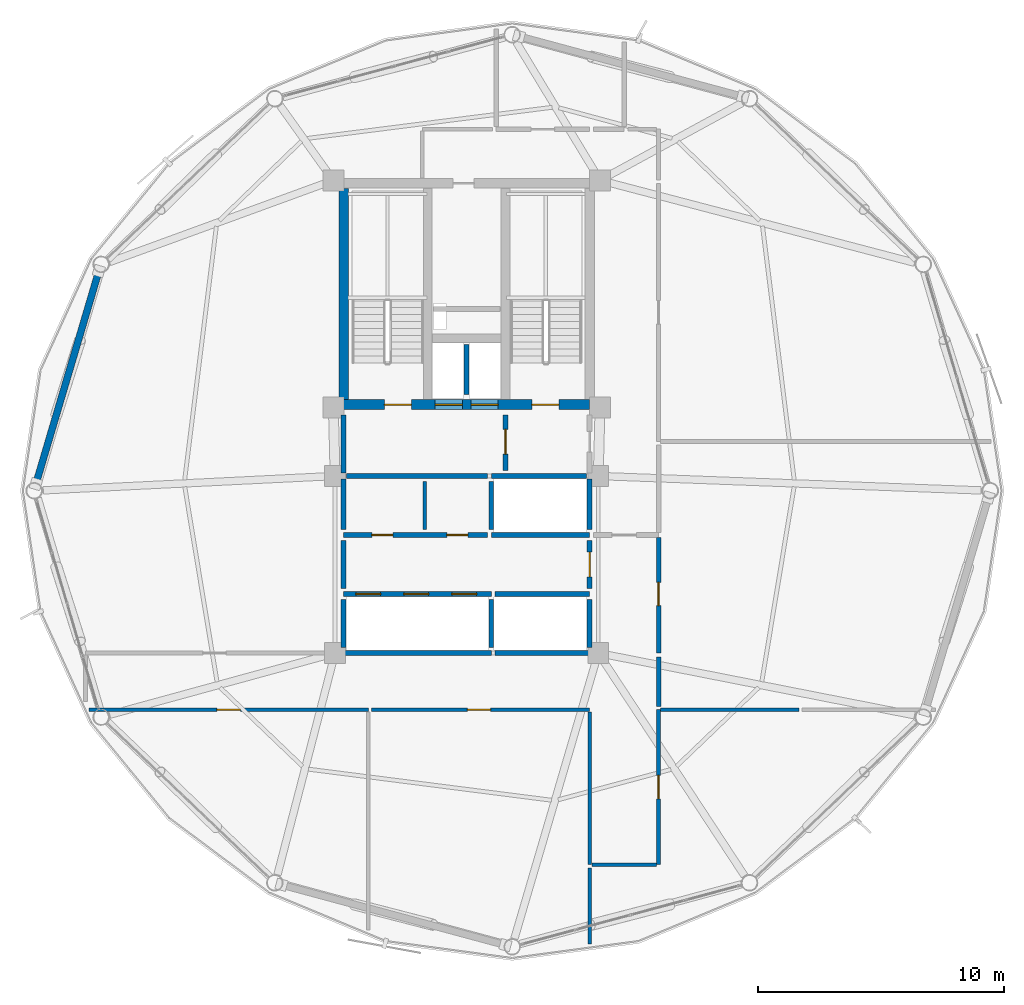
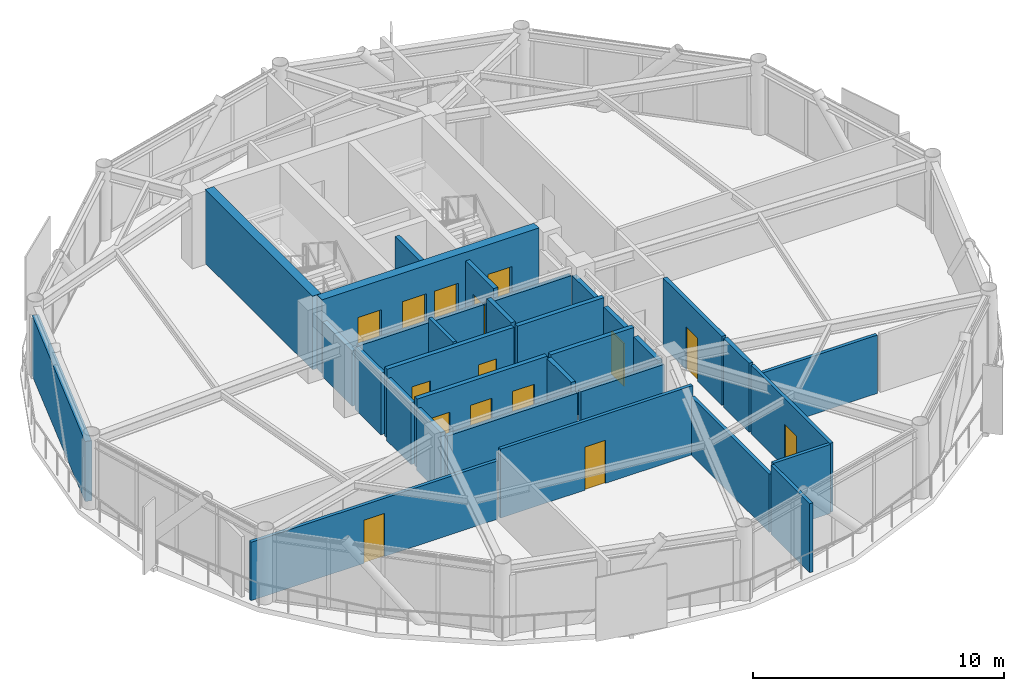
# One storey, part 24 of 28: 32 walls, 15 doors, 15 openings.
"""IFC4 building model written with IfcOpenShell, lengths in metres."""

from ifc_helpers import new_model, si_unit, direction, frame, frame_2d, origin, place, context, subcontext, project, spatial, rectangle, extrude, material, layer, layer_set, type_object, element, fill, save


model = new_model("IFC4")

# Units and contexts
model_context = context("Model", 3, precision=1e-05, world=origin(), true_north=direction((0.0, 1.0)))
body_context = subcontext(model_context, "Body", "Model", "MODEL_VIEW")
ifc_project = project(units=[si_unit("LENGTHUNIT", "METRE"), si_unit("AREAUNIT", "SQUARE_METRE"), si_unit("VOLUMEUNIT", "CUBIC_METRE"), si_unit("PLANEANGLEUNIT", "RADIAN"), si_unit("MASSUNIT", "GRAM", prefix="KILO")], contexts=[model_context])

# Site, building, storey
site_placement = place(None, origin())
site = spatial("IfcSite", under=ifc_project, at=site_placement, CompositionType="ELEMENT")
building_placement = place(site_placement, origin())
building = spatial("IfcBuilding", under=site, at=building_placement, Name="Varnakorn Sky Granary", CompositionType="ELEMENT")
storey_placement = place(building_placement, frame((0.0, 0.0, 196.800048828125)))
storey = spatial("IfcBuildingStorey", under=building, at=storey_placement, Name="L49", CompositionType="ELEMENT", Elevation=196.800048828125)

# Wall, openings, doors
ifc_material_1 = material(Name="Concrete C50/60", Category="concrete")
ifc_layer_1 = layer(ifc_material_1, 0.39990234375, Name="Concrete C50/60")
ifc_layer_set_1 = layer_set([ifc_layer_1], Name="Concrete C50/60")
wall_type_1 = type_object("IfcWallType", Name="WT-CW-SHEAR-400", PredefinedType="SHEAR", material=ifc_layer_set_1)
wall_1_placement = place(storey_placement, frame((-2.0, 3.5, 0.0), z_axis=(0.0, 0.0, 1.0), x_axis=(1.0, 0.0, 0.0)))
wall_1 = element("IfcWall", 1, at=wall_1_placement, inside=storey, type_object=wall_type_1, Name="Core South Shear Wall L49", PredefinedType="SHEAR", context=body_context, shape_type="SweptSolid", body=[
    extrude(rectangle(XDim=10.0, YDim=0.39990234375, at=frame_2d((5.0, 0.0))), origin(), (0.0, 0.0, 1.0), 3.592041015625),
])
opening_1_placement = place(wall_1_placement, frame((1.64990234375, 0.0, 0.0)))
opening_1 = element("IfcOpeningElement", 2, at=opening_1_placement, cuts=wall_1, Name="Opening FD-90", PredefinedType="OPENING", context=body_context, shape_type="SweptSolid", body=[
    extrude(rectangle(XDim=1.10009765625, YDim=2.14990234375, at=frame_2d((0.550048828125, 1.074951171875))), frame((0.0, 0.2099609375, 0.0), z_axis=(0.0, -1.0, 0.0), x_axis=(1.0, 0.0, 0.0)), (0.0, 0.0, 1.0), 0.419921875),
])
opening_2_placement = place(wall_1_placement, frame((7.64990234375, 0.0, 0.0)))
opening_2 = element("IfcOpeningElement", 3, at=opening_2_placement, cuts=wall_1, Name="Opening FD-90", PredefinedType="OPENING", context=body_context, shape_type="SweptSolid", body=[
    extrude(rectangle(XDim=1.10009765625, YDim=2.14990234375, at=frame_2d((0.550048828125, 1.074951171875))), frame((0.0, 0.2099609375, 0.0), z_axis=(0.0, -1.0, 0.0), x_axis=(1.0, 0.0, 0.0)), (0.0, 0.0, 1.0), 0.419921875),
])
opening_3_placement = place(wall_1_placement, frame((3.719970703125, 0.0, 0.0)))
opening_3 = element("IfcOpeningElement", 4, at=opening_3_placement, cuts=wall_1, Name="Opening LD-01", PredefinedType="OPENING", context=body_context, shape_type="SweptSolid", body=[
    extrude(rectangle(XDim=1.10009765625, YDim=2.199951171875, at=frame_2d((0.550048828125, 1.10009765625))), frame((0.0, 0.2099609375, 0.0), z_axis=(0.0, -1.0, 0.0), x_axis=(1.0, 0.0, 0.0)), (0.0, 0.0, 1.0), 0.419921875),
])
opening_4_placement = place(wall_1_placement, frame((5.179931640625, 0.0, 0.0)))
opening_4 = element("IfcOpeningElement", 5, at=opening_4_placement, cuts=wall_1, Name="Opening LD-01", PredefinedType="OPENING", context=body_context, shape_type="SweptSolid", body=[
    extrude(rectangle(XDim=1.10009765625, YDim=2.199951171875, at=frame_2d((0.550048828125, 1.10009765625))), frame((0.0, 0.2099609375, 0.0), z_axis=(0.0, -1.0, 0.0), x_axis=(1.0, 0.0, 0.0)), (0.0, 0.0, 1.0), 0.419921875),
])
ifc_material_2 = material(Name="Brushed Bronze Stainless Steel", Category="steel")
door_type_1 = type_object("IfcDoorType", Name="DR-LD-1100", OperationType="DOUBLE_DOOR_SLIDING", PredefinedType="DOOR", material=ifc_material_2)
door_1_placement = place(opening_3_placement, origin())
door_1 = element("IfcDoor", 6, at=door_1_placement, inside=storey, type_object=door_type_1, Name="Firefighting Lift FFL-1 Landing Door L49", OperationType="DOUBLE_DOOR_SLIDING", OverallHeight=2.199951171875, OverallWidth=1.10009765625, PredefinedType="DOOR", context=body_context, shape_type="SweptSolid", body=[
    extrude(rectangle(XDim=1.10009765625, YDim=2.199951171875, at=frame_2d((0.550048828125, 1.10009765625))), frame((0.0, 0.02490234375, 0.0), z_axis=(0.0, -1.0, 0.0), x_axis=(1.0, 0.0, 0.0)), (0.0, 0.0, 1.0), 0.050048828125),
])
fill(opening_3, door_1)
door_2_placement = place(opening_4_placement, origin())
door_2 = element("IfcDoor", 7, at=door_2_placement, inside=storey, type_object=door_type_1, Name="Firefighting Lift FFL-2 Landing Door L49", OperationType="DOUBLE_DOOR_SLIDING", OverallHeight=2.199951171875, OverallWidth=1.10009765625, PredefinedType="DOOR", context=body_context, shape_type="SweptSolid", body=[
    extrude(rectangle(XDim=1.10009765625, YDim=2.199951171875, at=frame_2d((0.550048828125, 1.10009765625))), frame((0.0, 0.02490234375, 0.0), z_axis=(0.0, -1.0, 0.0), x_axis=(1.0, 0.0, 0.0)), (0.0, 0.0, 1.0), 0.050048828125),
])
fill(opening_4, door_2)
ifc_material_3 = material(Name="Galvanised Painted Steel Leaf", Category="steel")
door_type_2 = type_object("IfcDoorType", Name="DR-STAIR-1100", OperationType="NOTDEFINED", PredefinedType="DOOR", material=ifc_material_3)
door_3_placement = place(opening_1_placement, origin())
door_3 = element("IfcDoor", 8, at=door_3_placement, inside=storey, type_object=door_type_2, Name="Stair ST-1 Protected Fire Door L49", OperationType="SINGLE_SWING_LEFT", OverallHeight=2.14990234375, OverallWidth=1.10009765625, PredefinedType="DOOR", context=body_context, shape_type="SweptSolid", body=[
    extrude(rectangle(XDim=1.10009765625, YDim=2.14990234375, at=frame_2d((0.550048828125, 1.074951171875))), frame((0.0, 0.02490234375, 0.0), z_axis=(0.0, -1.0, 0.0), x_axis=(1.0, 0.0, 0.0)), (0.0, 0.0, 1.0), 0.050048828125),
])
fill(opening_1, door_3)
door_4_placement = place(opening_2_placement, origin())
door_4 = element("IfcDoor", 9, at=door_4_placement, inside=storey, type_object=door_type_2, Name="Stair ST-2 Protected Fire Door L49", OperationType="SINGLE_SWING_RIGHT", OverallHeight=2.14990234375, OverallWidth=1.10009765625, PredefinedType="DOOR", context=body_context, shape_type="SweptSolid", body=[
    extrude(rectangle(XDim=1.10009765625, YDim=2.14990234375, at=frame_2d((0.550048828125, 1.074951171875))), frame((0.0, 0.02490234375, 0.0), z_axis=(0.0, -1.0, 0.0), x_axis=(1.0, 0.0, 0.0)), (0.0, 0.0, 1.0), 0.050048828125),
])
fill(opening_2, door_4)

# Walls
wall_2_placement = place(storey_placement, frame((-2.0, 3.7099609375, 0.0), z_axis=(0.0, 0.0, 1.0), x_axis=(0.0, 1.0, 0.0)))
element("IfcWall", 10, at=wall_2_placement, inside=storey, type_object=wall_type_1, Name="Core West Shear Wall L49", PredefinedType="SHEAR", context=body_context, shape_type="SweptSolid", body=[
    extrude(rectangle(XDim=8.580078125, YDim=0.39990234375, at=frame_2d((4.2900390625, 0.0))), origin(), (0.0, 0.0, 1.0), 3.592041015625),
])
ifc_material_4 = material(Name="Precast concrete C40/50", Category="concrete")
ifc_layer_2 = layer(ifc_material_4, 0.280029296875, Name="Precast concrete C40/50")
ifc_layer_set_2 = layer_set([ifc_layer_2], Name="Precast concrete C40/50")
wall_type_2 = type_object("IfcWallType", Name="WT-EW-CRN-280", PredefinedType="SOLIDWALL", material=ifc_layer_set_2)
wall_3_placement = place(storey_placement, frame((-14.51318359375, 0.273193359375, 0.0), z_axis=(0.0, 0.0, 1.0), x_axis=(0.28353319575, 0.958962422052, 0.0)))
element("IfcWall", 11, at=wall_3_placement, inside=storey, type_object=wall_type_2, Name="Agritech Insulated Precast Facade Wall L49-P06", PredefinedType="SOLIDWALL", context=body_context, shape_type="SweptSolid", body=[
    extrude(rectangle(XDim=9.030029296875, YDim=0.280029296875, at=frame_2d((4.51513671875, 0.0))), origin(), (0.0, 0.0, 1.0), 2.929931640625),
])

# Wall, opening, door
ifc_material_5 = material(Name="Autoclaved Aerated Concrete Blockwork", Category="masonry")
ifc_layer_3 = layer(ifc_material_5, 0.199951171875, Name="Autoclaved Aerated Concrete Blockwork")
ifc_layer_set_3 = layer_set([ifc_layer_3], Name="Autoclaved Aerated Concrete Blockwork")
wall_type_3 = type_object("IfcWallType", Name="WT-FIRE-200", PredefinedType="MOVABLE", material=ifc_layer_set_3)
wall_4_placement = place(storey_placement, frame((4.580078125, 0.830078125, 0.0), z_axis=(0.0, 0.0, 1.0), x_axis=(0.0, 1.0, 0.0)))
wall_4 = element("IfcWall", 12, at=wall_4_placement, inside=storey, type_object=wall_type_3, Name="Interior Partition Wall L49-014", PredefinedType="MOVABLE", context=body_context, shape_type="SweptSolid", body=[
    extrude(rectangle(XDim=2.239990234375, YDim=0.199951171875, at=frame_2d((1.1201171875, 0.0))), origin(), (0.0, 0.0, 1.0), 3.35986328125),
])
opening_5_placement = place(wall_4_placement, frame((0.659912109375, 0.0, 0.0)))
opening_5 = element("IfcOpeningElement", 13, at=opening_5_placement, cuts=wall_4, Name="Opening FD-60", PredefinedType="OPENING", context=body_context, shape_type="SweptSolid", body=[
    extrude(rectangle(XDim=1.0, YDim=2.10009765625, at=frame_2d((0.5, 1.050048828125))), frame((0.0, 0.10986328125, 0.0), z_axis=(0.0, -1.0, 0.0), x_axis=(1.0, 0.0, 0.0)), (0.0, 0.0, 1.0), 0.219970703125),
])
ifc_material_6 = material(Name="Acoustic Timber Fire Leaf", Category="wood")
door_type_3 = type_object("IfcDoorType", Name="DR-FD60-1000", OperationType="NOTDEFINED", PredefinedType="DOOR", material=ifc_material_6)
door_5_placement = place(opening_5_placement, origin())
door_5 = element("IfcDoor", 14, at=door_5_placement, inside=storey, type_object=door_type_3, Name="Interior Door L49-014-1", OperationType="SINGLE_SWING_RIGHT", OverallHeight=2.10009765625, OverallWidth=1.0, PredefinedType="DOOR", context=body_context, shape_type="SweptSolid", body=[
    extrude(rectangle(XDim=1.0, YDim=2.10009765625, at=frame_2d((0.5, 1.050048828125))), frame((0.0, 0.02490234375, 0.0), z_axis=(0.0, -1.0, 0.0), x_axis=(1.0, 0.0, 0.0)), (0.0, 0.0, 1.0), 0.050048828125),
])
fill(opening_5, door_5)

wall_5_placement = place(storey_placement, frame((8.0, -3.969970703125, 0.0), z_axis=(0.0, 0.0, 1.0), x_axis=(0.0, 1.0, 0.0)))
wall_5 = element("IfcWall", 15, at=wall_5_placement, inside=storey, type_object=wall_type_3, Name="Interior Partition Wall L49-016", PredefinedType="MOVABLE", context=body_context, shape_type="SweptSolid", body=[
    extrude(rectangle(XDim=1.93994140625, YDim=0.199951171875, at=frame_2d((0.969970703125, 0.0))), origin(), (0.0, 0.0, 1.0), 3.011962890625),
])
opening_6_placement = place(wall_5_placement, frame((0.469970703125, 0.0, 0.0)))
opening_6 = element("IfcOpeningElement", 16, at=opening_6_placement, cuts=wall_5, Name="Opening FD-60", PredefinedType="OPENING", context=body_context, shape_type="SweptSolid", body=[
    extrude(rectangle(XDim=1.0, YDim=2.10009765625, at=frame_2d((0.5, 1.050048828125))), frame((0.0, 0.10986328125, 0.0), z_axis=(0.0, -1.0, 0.0), x_axis=(1.0, 0.0, 0.0)), (0.0, 0.0, 1.0), 0.219970703125),
])
door_6_placement = place(opening_6_placement, origin())
door_6 = element("IfcDoor", 17, at=door_6_placement, inside=storey, type_object=door_type_3, Name="Interior Door L49-016-1", OperationType="SINGLE_SWING_RIGHT", OverallHeight=2.10009765625, OverallWidth=1.0, PredefinedType="DOOR", context=body_context, shape_type="SweptSolid", body=[
    extrude(rectangle(XDim=1.0, YDim=2.10009765625, at=frame_2d((0.5, 1.050048828125))), frame((0.0, 0.02490234375, 0.0), z_axis=(0.0, -1.0, 0.0), x_axis=(1.0, 0.0, 0.0)), (0.0, 0.0, 1.0), 0.050048828125),
])
fill(opening_6, door_6)

# Wall, openings, doors
wall_6_placement = place(storey_placement, frame((-2.0, -1.800048828125, 0.0), z_axis=(0.0, 0.0, 1.0), x_axis=(1.0, 0.0, 0.0)))
wall_6 = element("IfcWall", 18, at=wall_6_placement, inside=storey, type_object=wall_type_3, Name="Interior Partition Wall L49-017", PredefinedType="MOVABLE", context=body_context, shape_type="SweptSolid", body=[
    extrude(rectangle(XDim=5.840087890625, YDim=0.199951171875, at=frame_2d((2.919921875, 0.0))), origin(), (0.0, 0.0, 1.0), 3.35986328125),
])
opening_7_placement = place(wall_6_placement, frame((1.14990234375, 0.0, 0.0)))
opening_7 = element("IfcOpeningElement", 19, at=opening_7_placement, cuts=wall_6, Name="Opening FD-60N", PredefinedType="OPENING", context=body_context, shape_type="SweptSolid", body=[
    extrude(rectangle(XDim=0.85009765625, YDim=2.10009765625, at=frame_2d((0.425048828125, 1.050048828125))), frame((0.0, 0.10986328125, 0.0), z_axis=(0.0, -1.0, 0.0), x_axis=(1.0, 0.0, 0.0)), (0.0, 0.0, 1.0), 0.219970703125),
])
opening_8_placement = place(wall_6_placement, frame((4.199951171875, 0.0, 0.0)))
opening_8 = element("IfcOpeningElement", 20, at=opening_8_placement, cuts=wall_6, Name="Opening FD-60N", PredefinedType="OPENING", context=body_context, shape_type="SweptSolid", body=[
    extrude(rectangle(XDim=0.85009765625, YDim=2.10009765625, at=frame_2d((0.425048828125, 1.050048828125))), frame((0.0, 0.10986328125, 0.0), z_axis=(0.0, -1.0, 0.0), x_axis=(1.0, 0.0, 0.0)), (0.0, 0.0, 1.0), 0.219970703125),
])
door_type_4 = type_object("IfcDoorType", Name="DR-FD60-850", OperationType="NOTDEFINED", PredefinedType="DOOR", material=ifc_material_6)
door_7_placement = place(opening_7_placement, origin())
door_7 = element("IfcDoor", 21, at=door_7_placement, inside=storey, type_object=door_type_4, Name="Interior Door L49-017-1", OperationType="SINGLE_SWING_LEFT", OverallHeight=2.10009765625, OverallWidth=0.85009765625, PredefinedType="DOOR", context=body_context, shape_type="SweptSolid", body=[
    extrude(rectangle(XDim=0.85009765625, YDim=2.10009765625, at=frame_2d((0.425048828125, 1.050048828125))), frame((0.0, 0.02490234375, 0.0), z_axis=(0.0, -1.0, 0.0), x_axis=(1.0, 0.0, 0.0)), (0.0, 0.0, 1.0), 0.050048828125),
])
fill(opening_7, door_7)
door_8_placement = place(opening_8_placement, origin())
door_8 = element("IfcDoor", 22, at=door_8_placement, inside=storey, type_object=door_type_4, Name="Interior Door L49-017-2", OperationType="SINGLE_SWING_RIGHT", OverallHeight=2.10009765625, OverallWidth=0.85009765625, PredefinedType="DOOR", context=body_context, shape_type="SweptSolid", body=[
    extrude(rectangle(XDim=0.85009765625, YDim=2.10009765625, at=frame_2d((0.425048828125, 1.050048828125))), frame((0.0, 0.02490234375, 0.0), z_axis=(0.0, -1.0, 0.0), x_axis=(1.0, 0.0, 0.0)), (0.0, 0.0, 1.0), 0.050048828125),
])
fill(opening_8, door_8)

# Walls
wall_7_placement = place(storey_placement, frame((-1.8798828125, 0.60009765625, 0.0), z_axis=(0.0, 0.0, 1.0), x_axis=(1.0, 0.0, 0.0)))
element("IfcWall", 23, at=wall_7_placement, inside=storey, type_object=wall_type_3, Name="Interior Partition Wall L49-026", PredefinedType="MOVABLE", context=body_context, shape_type="SweptSolid", body=[
    extrude(rectangle(XDim=5.719970703125, YDim=0.199951171875, at=frame_2d((2.85986328125, 0.0))), origin(), (0.0, 0.0, 1.0), 3.011962890625),
])
wall_8_placement = place(storey_placement, frame((-2.0, 0.719970703125, 0.0), z_axis=(0.0, 0.0, 1.0), x_axis=(0.0, 1.0, 0.0)))
element("IfcWall", 24, at=wall_8_placement, inside=storey, type_object=wall_type_3, Name="Interior Partition Wall L49-027", PredefinedType="MOVABLE", context=body_context, shape_type="SweptSolid", body=[
    extrude(rectangle(XDim=2.35009765625, YDim=0.199951171875, at=frame_2d((1.175048828125, 0.0))), origin(), (0.0, 0.0, 1.0), 2.69189453125),
])
wall_9_placement = place(storey_placement, frame((-2.0, -3.969970703125, 0.0), z_axis=(0.0, 0.0, 1.0), x_axis=(0.0, 1.0, 0.0)))
element("IfcWall", 25, at=wall_9_placement, inside=storey, type_object=wall_type_3, Name="Interior Partition Wall L49-028", PredefinedType="MOVABLE", context=body_context, shape_type="SweptSolid", body=[
    extrude(rectangle(XDim=1.93994140625, YDim=0.199951171875, at=frame_2d((0.969970703125, 0.0))), origin(), (0.0, 0.0, 1.0), 3.011962890625),
])
wall_10_placement = place(storey_placement, frame((-2.0, -1.570068359375, 0.0), z_axis=(0.0, 0.0, 1.0), x_axis=(0.0, 1.0, 0.0)))
element("IfcWall", 26, at=wall_10_placement, inside=storey, type_object=wall_type_3, Name="Interior Partition Wall L49-030", PredefinedType="MOVABLE", context=body_context, shape_type="SweptSolid", body=[
    extrude(rectangle(XDim=2.050048828125, YDim=0.199951171875, at=frame_2d((1.02490234375, 0.0))), origin(), (0.0, 0.0, 1.0), 3.011962890625),
])

# Wall, opening, door
ifc_material_7 = material(Name="Gypsum Plasterboard on Steel Stud", Category="steel")
ifc_layer_4 = layer(ifc_material_7, 0.14990234375, Name="Gypsum Plasterboard on Steel Stud")
ifc_layer_set_4 = layer_set([ifc_layer_4], Name="Gypsum Plasterboard on Steel Stud")
wall_type_4 = type_object("IfcWallType", Name="WT-PART-150", PredefinedType="PARTITIONING", material=ifc_layer_set_4)
wall_11_placement = place(storey_placement, frame((-12.35107421875, -8.89990234375, 0.0), z_axis=(0.0, 0.0, 1.0), x_axis=(1.0, 0.0, 0.0)))
wall_11 = element("IfcWall", 27, at=wall_11_placement, inside=storey, type_object=wall_type_4, Name="Interior Partition Wall L49-020", PredefinedType="PARTITIONING", context=body_context, shape_type="SweptSolid", body=[
    extrude(rectangle(XDim=11.35107421875, YDim=0.14990234375, at=frame_2d((5.675537109375, 0.0))), origin(), (0.0, 0.0, 1.0), 2.842041015625),
])
opening_9_placement = place(wall_11_placement, frame((5.199951171875, 0.0, 0.0)))
opening_9 = element("IfcOpeningElement", 28, at=opening_9_placement, cuts=wall_11, Name="Opening ID-95", PredefinedType="OPENING", context=body_context, shape_type="SweptSolid", body=[
    extrude(rectangle(XDim=0.949951171875, YDim=2.10009765625, at=frame_2d((0.47509765625, 1.050048828125))), frame((0.0, 0.0849609375, 0.0), z_axis=(0.0, -1.0, 0.0), x_axis=(1.0, 0.0, 0.0)), (0.0, 0.0, 1.0), 0.169921875),
])
ifc_material_8 = material(Name="Solid-Core Teak Veneer Leaf", Category="timber")
door_type_5 = type_object("IfcDoorType", Name="DR-INT-950", OperationType="NOTDEFINED", PredefinedType="DOOR", material=ifc_material_8)
door_9_placement = place(opening_9_placement, origin())
door_9 = element("IfcDoor", 29, at=door_9_placement, inside=storey, type_object=door_type_5, Name="Interior Door L49-020-1", OperationType="SINGLE_SWING_LEFT", OverallHeight=2.10009765625, OverallWidth=0.949951171875, PredefinedType="DOOR", context=body_context, shape_type="SweptSolid", body=[
    extrude(rectangle(XDim=0.949951171875, YDim=2.10009765625, at=frame_2d((0.47509765625, 1.050048828125))), frame((0.0, 0.02490234375, 0.0), z_axis=(0.0, -1.0, 0.0), x_axis=(1.0, 0.0, 0.0)), (0.0, 0.0, 1.0), 0.050048828125),
])
fill(opening_9, door_9)

wall_12_placement = place(storey_placement, frame((-0.864990234375, -8.89990234375, 0.0), z_axis=(0.0, 0.0, 1.0), x_axis=(1.0, 0.0, 0.0)))
wall_12 = element("IfcWall", 30, at=wall_12_placement, inside=storey, type_object=wall_type_4, Name="Interior Partition Wall L49-021", PredefinedType="PARTITIONING", context=body_context, shape_type="SweptSolid", body=[
    extrude(rectangle(XDim=8.864990234375, YDim=0.14990234375, at=frame_2d((4.4326171875, 0.0))), origin(), (0.0, 0.0, 1.0), 3.35986328125),
])
opening_10_placement = place(wall_12_placement, frame((3.889892578125, 0.0, 0.0)))
opening_10 = element("IfcOpeningElement", 31, at=opening_10_placement, cuts=wall_12, Name="Opening ID-95", PredefinedType="OPENING", context=body_context, shape_type="SweptSolid", body=[
    extrude(rectangle(XDim=0.949951171875, YDim=2.10009765625, at=frame_2d((0.47509765625, 1.050048828125))), frame((0.0, 0.0849609375, 0.0), z_axis=(0.0, -1.0, 0.0), x_axis=(1.0, 0.0, 0.0)), (0.0, 0.0, 1.0), 0.169921875),
])
door_10_placement = place(opening_10_placement, origin())
door_10 = element("IfcDoor", 32, at=door_10_placement, inside=storey, type_object=door_type_5, Name="Interior Door L49-021-1", OperationType="SINGLE_SWING_RIGHT", OverallHeight=2.10009765625, OverallWidth=0.949951171875, PredefinedType="DOOR", context=body_context, shape_type="SweptSolid", body=[
    extrude(rectangle(XDim=0.949951171875, YDim=2.10009765625, at=frame_2d((0.47509765625, 1.050048828125))), frame((0.0, 0.02490234375, 0.0), z_axis=(0.0, -1.0, 0.0), x_axis=(1.0, 0.0, 0.0)), (0.0, 0.0, 1.0), 0.050048828125),
])
fill(opening_10, door_10)

wall_13_placement = place(storey_placement, frame((10.800048828125, -15.199951171875, 0.0), z_axis=(0.0, 0.0, 1.0), x_axis=(0.0, 1.0, 0.0)))
wall_13 = element("IfcWall", 33, at=wall_13_placement, inside=storey, type_object=wall_type_4, Name="Interior Partition Wall L49-022", PredefinedType="PARTITIONING", context=body_context, shape_type="SweptSolid", body=[
    extrude(rectangle(XDim=6.300048828125, YDim=0.14990234375, at=frame_2d((3.14990234375, 0.0))), origin(), (0.0, 0.0, 1.0), 3.35986328125),
])
opening_11_placement = place(wall_13_placement, frame((2.675048828125, 0.0, 0.0)))
opening_11 = element("IfcOpeningElement", 34, at=opening_11_placement, cuts=wall_13, Name="Opening ID-95", PredefinedType="OPENING", context=body_context, shape_type="SweptSolid", body=[
    extrude(rectangle(XDim=0.949951171875, YDim=2.10009765625, at=frame_2d((0.47509765625, 1.050048828125))), frame((0.0, 0.0849609375, 0.0), z_axis=(0.0, -1.0, 0.0), x_axis=(1.0, 0.0, 0.0)), (0.0, 0.0, 1.0), 0.169921875),
])
door_11_placement = place(opening_11_placement, origin())
door_11 = element("IfcDoor", 35, at=door_11_placement, inside=storey, type_object=door_type_5, Name="Interior Door L49-022-1", OperationType="SINGLE_SWING_LEFT", OverallHeight=2.10009765625, OverallWidth=0.949951171875, PredefinedType="DOOR", context=body_context, shape_type="SweptSolid", body=[
    extrude(rectangle(XDim=0.949951171875, YDim=2.10009765625, at=frame_2d((0.47509765625, 1.050048828125))), frame((0.0, 0.02490234375, 0.0), z_axis=(0.0, -1.0, 0.0), x_axis=(1.0, 0.0, 0.0)), (0.0, 0.0, 1.0), 0.050048828125),
])
fill(opening_11, door_11)

# Walls
wall_14_placement = place(storey_placement, frame((1.300048828125, -1.570068359375, 0.0), z_axis=(0.0, 0.0, 1.0), x_axis=(0.0, 1.0, 0.0)))
element("IfcWall", 36, at=wall_14_placement, inside=storey, type_object=wall_type_4, Name="Interior Partition Wall L49-029", PredefinedType="PARTITIONING", context=body_context, shape_type="SweptSolid", body=[
    extrude(rectangle(XDim=1.940185546875, YDim=0.14990234375, at=frame_2d((0.97021484375, 0.0))), origin(), (0.0, 0.0, 1.0), 3.35986328125),
])
wall_15_placement = place(storey_placement, frame((8.0, -8.985107421875, 0.0), z_axis=(0.0, 0.0, 1.0), x_axis=(0.0, -1.0, 0.0)))
element("IfcWall", 37, at=wall_15_placement, inside=storey, type_object=wall_type_4, Name="Interior Partition Wall L49-033", PredefinedType="PARTITIONING", context=body_context, shape_type="SweptSolid", body=[
    extrude(rectangle(XDim=6.21484375, YDim=0.14990234375, at=frame_2d((3.107421875, 0.0))), origin(), (0.0, 0.0, 1.0), 2.842041015625),
])
wall_16_placement = place(storey_placement, frame((8.0, -15.3349609375, 0.0), z_axis=(0.0, 0.0, 1.0), x_axis=(0.0, -1.0, 0.0)))
element("IfcWall", 38, at=wall_16_placement, inside=storey, type_object=wall_type_4, Name="Interior Partition Wall L49-034", PredefinedType="PARTITIONING", context=body_context, shape_type="SweptSolid", body=[
    extrude(rectangle(XDim=3.09814453125, YDim=0.14990234375, at=frame_2d((1.549072265625, 0.0))), origin(), (0.0, 0.0, 1.0), 3.35986328125),
])
wall_17_placement = place(storey_placement, frame((8.0849609375, -15.199951171875, 0.0), z_axis=(0.0, 0.0, 1.0), x_axis=(1.0, 0.0, 0.0)))
element("IfcWall", 39, at=wall_17_placement, inside=storey, type_object=wall_type_4, Name="Interior Partition Wall L49-035", PredefinedType="PARTITIONING", context=body_context, shape_type="SweptSolid", body=[
    extrude(rectangle(XDim=2.630126953125, YDim=0.14990234375, at=frame_2d((1.31494140625, 0.0))), origin(), (0.0, 0.0, 1.0), 3.35986328125),
])
wall_18_placement = place(storey_placement, frame((10.885009765625, -8.89990234375, 0.0), z_axis=(0.0, 0.0, 1.0), x_axis=(1.0, 0.0, 0.0)))
element("IfcWall", 40, at=wall_18_placement, inside=storey, type_object=wall_type_4, Name="Interior Partition Wall L49-036", PredefinedType="PARTITIONING", context=body_context, shape_type="SweptSolid", body=[
    extrude(rectangle(XDim=5.614990234375, YDim=0.14990234375, at=frame_2d((2.8076171875, 0.0))), origin(), (0.0, 0.0, 1.0), 2.842041015625),
])

# Wall, opening, door
ifc_material_9 = material(Name="Moisture-Resistant Gypsum on Stud", Category="gypsum")
ifc_layer_5 = layer(ifc_material_9, 0.179931640625, Name="Moisture-Resistant Gypsum on Stud")
ifc_layer_set_5 = layer_set([ifc_layer_5], Name="Moisture-Resistant Gypsum on Stud")
wall_type_5 = type_object("IfcWallType", Name="WT-PLUMB-180", PredefinedType="PLUMBINGWALL", material=ifc_layer_set_5)
wall_19_placement = place(storey_placement, frame((10.800048828125, -6.60009765625, 0.0), z_axis=(0.0, 0.0, 1.0), x_axis=(0.0, 1.0, 0.0)))
wall_19 = element("IfcWall", 41, at=wall_19_placement, inside=storey, type_object=wall_type_5, Name="Interior Partition Wall L49-024", PredefinedType="PLUMBINGWALL", context=body_context, shape_type="SweptSolid", body=[
    extrude(rectangle(XDim=4.690185546875, YDim=0.179931640625, at=frame_2d((2.34521484375, 0.0))), origin(), (0.0, 0.0, 1.0), 3.35986328125),
])
opening_12_placement = place(wall_19_placement, frame((1.925048828125, 0.0, 0.0)))
opening_12 = element("IfcOpeningElement", 42, at=opening_12_placement, cuts=wall_19, Name="Opening ID-95", PredefinedType="OPENING", context=body_context, shape_type="SweptSolid", body=[
    extrude(rectangle(XDim=0.949951171875, YDim=2.10009765625, at=frame_2d((0.47509765625, 1.050048828125))), frame((0.0, 0.10009765625, 0.0), z_axis=(0.0, -1.0, 0.0), x_axis=(1.0, 0.0, 0.0)), (0.0, 0.0, 1.0), 0.199951171875),
])
door_12_placement = place(opening_12_placement, origin())
door_12 = element("IfcDoor", 43, at=door_12_placement, inside=storey, type_object=door_type_5, Name="Interior Door L49-024-1", OperationType="SINGLE_SWING_LEFT", OverallHeight=2.10009765625, OverallWidth=0.949951171875, PredefinedType="DOOR", context=body_context, shape_type="SweptSolid", body=[
    extrude(rectangle(XDim=0.949951171875, YDim=2.10009765625, at=frame_2d((0.47509765625, 1.050048828125))), frame((0.0, 0.02490234375, 0.0), z_axis=(0.0, -1.0, 0.0), x_axis=(1.0, 0.0, 0.0)), (0.0, 0.0, 1.0), 0.050048828125),
])
fill(opening_12, door_12)

# Walls
wall_20_placement = place(storey_placement, frame((10.800048828125, -8.764892578125, 0.0), z_axis=(0.0, 0.0, 1.0), x_axis=(0.0, 1.0, 0.0)))
element("IfcWall", 44, at=wall_20_placement, inside=storey, type_object=wall_type_5, Name="Interior Partition Wall L49-042", PredefinedType="PLUMBINGWALL", context=body_context, shape_type="SweptSolid", body=[
    extrude(rectangle(XDim=2.014892578125, YDim=0.179931640625, at=frame_2d((1.00732421875, 0.0))), origin(), (0.0, 0.0, 1.0), 3.35986328125),
])
ifc_layer_6 = layer(ifc_material_5, 0.199951171875, Name="Autoclaved Aerated Concrete Blockwork")
ifc_layer_set_6 = layer_set([ifc_layer_6], Name="Autoclaved Aerated Concrete Blockwork")
wall_type_6 = type_object("IfcWallType", Name="WT-SHAFT-200", PredefinedType="SOLIDWALL", material=ifc_layer_set_6)
wall_21_placement = place(storey_placement, frame((3.0, 3.919921875, 0.0), z_axis=(0.0, 0.0, 1.0), x_axis=(0.0, 1.0, 0.0)))
element("IfcWall", 45, at=wall_21_placement, inside=storey, type_object=wall_type_6, Name="Interior Partition Wall L49-001", PredefinedType="SOLIDWALL", context=body_context, shape_type="SweptSolid", body=[
    extrude(rectangle(XDim=2.030029296875, YDim=0.199951171875, at=frame_2d((1.01513671875, 0.0))), origin(), (0.0, 0.0, 1.0), 3.35986328125),
])
wall_22_placement = place(storey_placement, frame((4.0, 0.60009765625, 0.0), z_axis=(0.0, 0.0, 1.0), x_axis=(1.0, 0.0, 0.0)))
element("IfcWall", 46, at=wall_22_placement, inside=storey, type_object=wall_type_6, Name="Interior Partition Wall L49-003", PredefinedType="SOLIDWALL", context=body_context, shape_type="SweptSolid", body=[
    extrude(rectangle(XDim=3.8798828125, YDim=0.199951171875, at=frame_2d((1.93994140625, 0.0))), origin(), (0.0, 0.0, 1.0), 3.011962890625),
])
wall_23_placement = place(storey_placement, frame((4.0, -1.800048828125, 0.0), z_axis=(0.0, 0.0, 1.0), x_axis=(1.0, 0.0, 0.0)))
element("IfcWall", 47, at=wall_23_placement, inside=storey, type_object=wall_type_6, Name="Interior Partition Wall L49-004", PredefinedType="SOLIDWALL", context=body_context, shape_type="SweptSolid", body=[
    extrude(rectangle(XDim=4.0, YDim=0.199951171875, at=frame_2d((2.0, 0.0))), origin(), (0.0, 0.0, 1.0), 3.35986328125),
])
wall_24_placement = place(storey_placement, frame((4.0, -1.570068359375, 0.0), z_axis=(0.0, 0.0, 1.0), x_axis=(0.0, 1.0, 0.0)))
element("IfcWall", 48, at=wall_24_placement, inside=storey, type_object=wall_type_6, Name="Interior Partition Wall L49-005", PredefinedType="SOLIDWALL", context=body_context, shape_type="SweptSolid", body=[
    extrude(rectangle(XDim=1.940185546875, YDim=0.199951171875, at=frame_2d((0.97021484375, 0.0))), origin(), (0.0, 0.0, 1.0), 3.35986328125),
])
wall_25_placement = place(storey_placement, frame((8.0, -1.570068359375, 0.0), z_axis=(0.0, 0.0, 1.0), x_axis=(0.0, 1.0, 0.0)))
element("IfcWall", 49, at=wall_25_placement, inside=storey, type_object=wall_type_6, Name="Interior Partition Wall L49-006", PredefinedType="SOLIDWALL", context=body_context, shape_type="SweptSolid", body=[
    extrude(rectangle(XDim=2.050048828125, YDim=0.199951171875, at=frame_2d((1.02490234375, 0.0))), origin(), (0.0, 0.0, 1.0), 3.011962890625),
])

# Wall, openings, doors
wall_26_placement = place(storey_placement, frame((-2.0, -4.199951171875, 0.0), z_axis=(0.0, 0.0, 1.0), x_axis=(1.0, 0.0, 0.0)))
wall_26 = element("IfcWall", 50, at=wall_26_placement, inside=storey, type_object=wall_type_6, Name="Interior Partition Wall L49-007", PredefinedType="SOLIDWALL", context=body_context, shape_type="SweptSolid", body=[
    extrude(rectangle(XDim=6.0, YDim=0.199951171875, at=frame_2d((3.0, 0.0))), origin(), (0.0, 0.0, 1.0), 3.35986328125),
])
opening_13_placement = place(wall_26_placement, frame((0.5, 0.0, 0.0)))
opening_13 = element("IfcOpeningElement", 51, at=opening_13_placement, cuts=wall_26, Name="Opening LD-03", PredefinedType="OPENING", context=body_context, shape_type="SweptSolid", body=[
    extrude(rectangle(XDim=1.0, YDim=2.199951171875, at=frame_2d((0.5, 1.10009765625))), frame((0.0, 0.10986328125, 0.0), z_axis=(0.0, -1.0, 0.0), x_axis=(1.0, 0.0, 0.0)), (0.0, 0.0, 1.0), 0.219970703125),
])
opening_14_placement = place(wall_26_placement, frame((2.449951171875, 0.0, 0.0)))
opening_14 = element("IfcOpeningElement", 52, at=opening_14_placement, cuts=wall_26, Name="Opening LD-03", PredefinedType="OPENING", context=body_context, shape_type="SweptSolid", body=[
    extrude(rectangle(XDim=1.0, YDim=2.199951171875, at=frame_2d((0.5, 1.10009765625))), frame((0.0, 0.10986328125, 0.0), z_axis=(0.0, -1.0, 0.0), x_axis=(1.0, 0.0, 0.0)), (0.0, 0.0, 1.0), 0.219970703125),
])
opening_15_placement = place(wall_26_placement, frame((4.39990234375, 0.0, 0.0)))
opening_15 = element("IfcOpeningElement", 53, at=opening_15_placement, cuts=wall_26, Name="Opening LD-03", PredefinedType="OPENING", context=body_context, shape_type="SweptSolid", body=[
    extrude(rectangle(XDim=1.0, YDim=2.199951171875, at=frame_2d((0.5, 1.10009765625))), frame((0.0, 0.10986328125, 0.0), z_axis=(0.0, -1.0, 0.0), x_axis=(1.0, 0.0, 0.0)), (0.0, 0.0, 1.0), 0.219970703125),
])
door_type_6 = type_object("IfcDoorType", Name="DR-LD-1000", OperationType="DOUBLE_DOOR_SLIDING", PredefinedType="DOOR", material=ifc_material_2)
door_13_placement = place(opening_13_placement, origin())
door_13 = element("IfcDoor", 54, at=door_13_placement, inside=storey, type_object=door_type_6, Name="Passenger Lift PL-M1 Sliding Landing Door L49", OperationType="DOUBLE_DOOR_SLIDING", OverallHeight=2.199951171875, OverallWidth=1.0, PredefinedType="DOOR", context=body_context, shape_type="SweptSolid", body=[
    extrude(rectangle(XDim=1.0, YDim=2.199951171875, at=frame_2d((0.5, 1.10009765625))), frame((0.0, 0.02490234375, 0.0), z_axis=(0.0, -1.0, 0.0), x_axis=(1.0, 0.0, 0.0)), (0.0, 0.0, 1.0), 0.050048828125),
])
fill(opening_13, door_13)
door_14_placement = place(opening_14_placement, origin())
door_14 = element("IfcDoor", 55, at=door_14_placement, inside=storey, type_object=door_type_6, Name="Passenger Lift PL-M2 Sliding Landing Door L49", OperationType="DOUBLE_DOOR_SLIDING", OverallHeight=2.199951171875, OverallWidth=1.0, PredefinedType="DOOR", context=body_context, shape_type="SweptSolid", body=[
    extrude(rectangle(XDim=1.0, YDim=2.199951171875, at=frame_2d((0.5, 1.10009765625))), frame((0.0, 0.02490234375, 0.0), z_axis=(0.0, -1.0, 0.0), x_axis=(1.0, 0.0, 0.0)), (0.0, 0.0, 1.0), 0.050048828125),
])
fill(opening_14, door_14)
door_15_placement = place(opening_15_placement, origin())
door_15 = element("IfcDoor", 56, at=door_15_placement, inside=storey, type_object=door_type_6, Name="Passenger Lift PL-M3 Sliding Landing Door L49", OperationType="DOUBLE_DOOR_SLIDING", OverallHeight=2.199951171875, OverallWidth=1.0, PredefinedType="DOOR", context=body_context, shape_type="SweptSolid", body=[
    extrude(rectangle(XDim=1.0, YDim=2.199951171875, at=frame_2d((0.5, 1.10009765625))), frame((0.0, 0.02490234375, 0.0), z_axis=(0.0, -1.0, 0.0), x_axis=(1.0, 0.0, 0.0)), (0.0, 0.0, 1.0), 0.050048828125),
])
fill(opening_15, door_15)

# Walls
wall_27_placement = place(storey_placement, frame((-2.0, -6.60009765625, 0.0), z_axis=(0.0, 0.0, 1.0), x_axis=(1.0, 0.0, 0.0)))
element("IfcWall", 57, at=wall_27_placement, inside=storey, type_object=wall_type_6, Name="Interior Partition Wall L49-008", PredefinedType="SOLIDWALL", context=body_context, shape_type="SweptSolid", body=[
    extrude(rectangle(XDim=6.0, YDim=0.199951171875, at=frame_2d((3.0, 0.0))), origin(), (0.0, 0.0, 1.0), 3.011962890625),
])
wall_28_placement = place(storey_placement, frame((-2.0, -6.3701171875, 0.0), z_axis=(0.0, 0.0, 1.0), x_axis=(0.0, 1.0, 0.0)))
element("IfcWall", 58, at=wall_28_placement, inside=storey, type_object=wall_type_6, Name="Interior Partition Wall L49-009", PredefinedType="SOLIDWALL", context=body_context, shape_type="SweptSolid", body=[
    extrude(rectangle(XDim=1.940185546875, YDim=0.199951171875, at=frame_2d((0.97021484375, 0.0))), origin(), (0.0, 0.0, 1.0), 3.011962890625),
])
wall_29_placement = place(storey_placement, frame((4.159912109375, -4.199951171875, 0.0), z_axis=(0.0, 0.0, 1.0), x_axis=(1.0, 0.0, 0.0)))
element("IfcWall", 59, at=wall_29_placement, inside=storey, type_object=wall_type_6, Name="Interior Partition Wall L49-010", PredefinedType="SOLIDWALL", context=body_context, shape_type="SweptSolid", body=[
    extrude(rectangle(XDim=3.840087890625, YDim=0.199951171875, at=frame_2d((1.919921875, 0.0))), origin(), (0.0, 0.0, 1.0), 3.35986328125),
])
wall_30_placement = place(storey_placement, frame((4.159912109375, -6.60009765625, 0.0), z_axis=(0.0, 0.0, 1.0), x_axis=(1.0, 0.0, 0.0)))
element("IfcWall", 60, at=wall_30_placement, inside=storey, type_object=wall_type_6, Name="Interior Partition Wall L49-011", PredefinedType="SOLIDWALL", context=body_context, shape_type="SweptSolid", body=[
    extrude(rectangle(XDim=3.840087890625, YDim=0.199951171875, at=frame_2d((1.919921875, 0.0))), origin(), (0.0, 0.0, 1.0), 3.011962890625),
])
wall_31_placement = place(storey_placement, frame((4.0, -6.3701171875, 0.0), z_axis=(0.0, 0.0, 1.0), x_axis=(0.0, 1.0, 0.0)))
element("IfcWall", 61, at=wall_31_placement, inside=storey, type_object=wall_type_6, Name="Interior Partition Wall L49-012", PredefinedType="SOLIDWALL", context=body_context, shape_type="SweptSolid", body=[
    extrude(rectangle(XDim=1.940185546875, YDim=0.199951171875, at=frame_2d((0.97021484375, 0.0))), origin(), (0.0, 0.0, 1.0), 3.35986328125),
])
wall_32_placement = place(storey_placement, frame((8.0, -6.3701171875, 0.0), z_axis=(0.0, 0.0, 1.0), x_axis=(0.0, 1.0, 0.0)))
element("IfcWall", 62, at=wall_32_placement, inside=storey, type_object=wall_type_6, Name="Interior Partition Wall L49-013", PredefinedType="SOLIDWALL", context=body_context, shape_type="SweptSolid", body=[
    extrude(rectangle(XDim=1.940185546875, YDim=0.199951171875, at=frame_2d((0.97021484375, 0.0))), origin(), (0.0, 0.0, 1.0), 3.011962890625),
])

save(model, "model.ifc")
